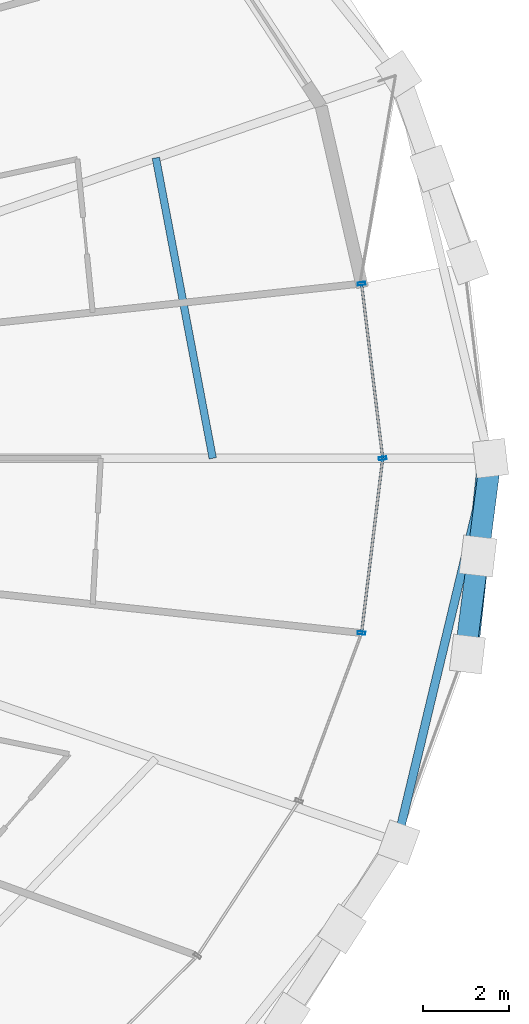
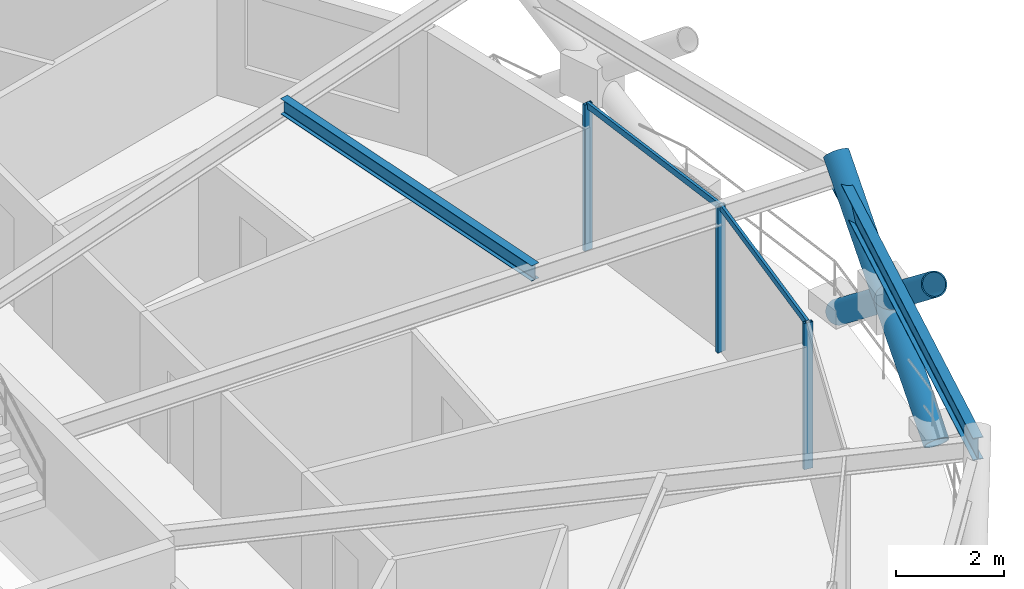
# One storey, part 11 of 19: 8 members, 2 beams, 1 element without a shape of its own.
"""IFC4 building model written with IfcOpenShell, lengths in metres."""

from ifc_helpers import new_model, si_unit, direction, frame, origin, origin_2d, place, context, subcontext, project, spatial, hollow_rectangle, hollow_circle, i_section, extrude, material, layer, layer_set, material_profile, profile_set, type_object, element, aggregate, save


model = new_model("IFC4")

# Units and contexts
model_context = context("Model", 3, precision=1e-05, world=origin(), true_north=direction((0.0, 1.0)))
body_context = subcontext(model_context, "Body", "Model", "MODEL_VIEW")
ifc_project = project(units=[si_unit("LENGTHUNIT", "METRE"), si_unit("AREAUNIT", "SQUARE_METRE"), si_unit("VOLUMEUNIT", "CUBIC_METRE"), si_unit("PLANEANGLEUNIT", "RADIAN"), si_unit("MASSUNIT", "GRAM", prefix="KILO")], contexts=[model_context])

# Site, building, storey
site_placement = place(None, origin())
site = spatial("IfcSite", under=ifc_project, at=site_placement, CompositionType="ELEMENT")
building_placement = place(site_placement, origin())
building = spatial("IfcBuilding", under=site, at=building_placement, Name="Veldorina Hangang Commons", CompositionType="ELEMENT")
storey_placement = place(building_placement, frame((0.0, 0.0, 160.39990234375)))
storey = spatial("IfcBuildingStorey", under=building, at=storey_placement, Name="L41", CompositionType="ELEMENT", Elevation=160.39990234375)

# Beams
ifc_material_1 = material(Name="Steel SM355-TMC", Category="steel")
ifc_material_profile_1 = material_profile(ifc_material_1, i_section(OverallWidth=0.175048828125, OverallDepth=0.35009765625, WebThickness=0.007080078125, FlangeThickness=0.010986328125, FilletRadius=0.012939453125, at=origin_2d()), Name="H-350x175x7x11")
ifc_profile_set_1 = profile_set([ifc_material_profile_1], Name="Steel SM355-TMC")
beam_type_1 = type_object("IfcBeamType", Name="BM-JST350", PredefinedType="JOIST", material=ifc_profile_set_1)
beam_1_placement = place(storey_placement, frame((53.70068359375, 24.0, 3.175048828125), z_axis=(-0.186059382124, 0.982538501191, 0.0), x_axis=(-0.982538501191, -0.186059382124, 0.0)))
element("IfcBeam", 1, at=beam_1_placement, inside=storey, type_object=beam_type_1, Name="L41 secondary floor joist 01", PredefinedType="JOIST", context=body_context, shape_type="SweptSolid", body=[
    extrude(i_section(OverallWidth=0.175048828125, OverallDepth=0.35009765625, WebThickness=0.007080078125, FlangeThickness=0.010986328125, FilletRadius=0.012939453125, at=origin_2d()), origin(), (0.0, 0.0, 1.0), 7.140869140625),
])
ifc_material_2 = material(Name="Steel SM420-TMC", Category="steel")
ifc_material_profile_2 = material_profile(ifc_material_2, i_section(OverallWidth=0.199951171875, OverallDepth=0.5, WebThickness=0.010009765625, FlangeThickness=0.01611328125, FilletRadius=0.01611328125, at=origin_2d()), Name="H-500x200x10x16")
ifc_profile_set_2 = profile_set([ifc_material_profile_2], Name="Steel SM420-TMC")
beam_type_2 = type_object("IfcBeamType", Name="BM-RB500", PredefinedType="BEAM", material=ifc_profile_set_2)
beam_2_placement = place(storey_placement, frame((58.006103515625, 15.043701171875, 3.10009765625), z_axis=(0.232660981985, 0.972557899285, 0.0), x_axis=(-0.972557899285, 0.232660981985, 0.0)))
element("IfcBeam", 2, at=beam_2_placement, inside=storey, type_object=beam_type_2, Name="L41 perimeter hoop ring beam 30", PredefinedType="BEAM", context=body_context, shape_type="SweptSolid", body=[
    extrude(i_section(OverallWidth=0.199951171875, OverallDepth=0.5, WebThickness=0.010009765625, FlangeThickness=0.01611328125, FilletRadius=0.01611328125, at=origin_2d()), origin(), (0.0, 0.0, 1.0), 9.208984375),
])

# Curtain wall, members
ifc_material_3 = material(Name="Glass Low-E Triple IGU", Category="glass")
ifc_layer = layer(ifc_material_3, 0.179931640625)
ifc_layer_set = layer_set([ifc_layer], Name="Glass Low-E Triple IGU")
curtain_wall_type = type_object("IfcCurtainWallType", Name="CW-SYS-Z2", PredefinedType="NOTDEFINED", material=ifc_layer_set)
curtain_wall_placement = place(storey_placement, origin())
curtain_wall = element("IfcCurtainWall", 3, at=curtain_wall_placement, inside=storey, type_object=curtain_wall_type, Name="L41 unitised curtain wall CW-L41-R2", PredefinedType="NOTDEFINED")
ifc_material_4 = material(Name="Aluminium Anodized AA6063-T6", Category="aluminium")
ifc_material_profile_3 = material_profile(ifc_material_4, hollow_rectangle(XDim=0.070068359375, YDim=0.179931640625, WallThickness=0.00390625, at=origin_2d()), Name="ALU-RHS-180x70x4")
ifc_profile_set_3 = profile_set([ifc_material_profile_3], Name="Aluminium Anodized AA6063-T6")
member_type_1 = type_object("IfcMemberType", Name="CW-MUL-180", PredefinedType="MULLION", material=ifc_profile_set_3)
member_1_placement = place(storey_placement, frame((57.175537109375, 19.920166015625, 0.0), z_axis=(0.0, 0.0, 1.0), x_axis=(0.120015549748, 0.992772012004, 0.0)))
member_1 = element("IfcMember", 4, at=member_1_placement, type_object=member_type_1, Name="CW-L41-R2 vertical mullion 4", PredefinedType="MULLION", context=body_context, shape_type="SweptSolid", body=[
    extrude(hollow_rectangle(XDim=0.070068359375, YDim=0.179931640625, WallThickness=0.00390625, at=origin_2d()), origin(), (0.0, 0.0, 1.0), 3.31005859375),
])
member_2_placement = place(storey_placement, frame((57.668701171875, 24.0, 0.0), z_axis=(0.0, 0.0, 1.0), x_axis=(-0.120015549748, 0.992772012004, 0.0)))
member_2 = element("IfcMember", 5, at=member_2_placement, type_object=member_type_1, Name="CW-L41-R2 vertical mullion 5", PredefinedType="MULLION", context=body_context, shape_type="SweptSolid", body=[
    extrude(hollow_rectangle(XDim=0.070068359375, YDim=0.179931640625, WallThickness=0.00390625, at=origin_2d()), origin(), (0.0, 0.0, 1.0), 3.31005859375),
])
member_3_placement = place(storey_placement, frame((57.175537109375, 28.079833984375, 0.0), z_axis=(0.0, 0.0, 1.0), x_axis=(0.120015549748, -0.992772012004, 0.0)))
member_3 = element("IfcMember", 6, at=member_3_placement, type_object=member_type_1, Name="CW-L41-R2 vertical mullion 6", PredefinedType="MULLION", context=body_context, shape_type="SweptSolid", body=[
    extrude(hollow_rectangle(XDim=0.070068359375, YDim=0.179931640625, WallThickness=0.00390625, at=origin_2d()), origin(), (0.0, 0.0, 1.0), 3.31005859375),
])
ifc_material_profile_4 = material_profile(ifc_material_4, hollow_rectangle(XDim=0.06005859375, YDim=0.139892578125, WallThickness=0.00341796875, at=origin_2d()), Name="ALU-RHS-140x60x3.5")
ifc_profile_set_4 = profile_set([ifc_material_profile_4], Name="Aluminium Anodized AA6063-T6")
member_type_2 = type_object("IfcMemberType", Name="CW-TRN-140", PredefinedType="USERDEFINED", material=ifc_profile_set_4)
member_4_placement = place(storey_placement, frame((57.175537109375, 19.920166015625, 3.27001953125), z_axis=(0.120004910667, 0.992773298098, 0.0), x_axis=(-0.992773298098, 0.120004910667, 0.0)))
member_4 = element("IfcMember", 7, at=member_4_placement, type_object=member_type_2, Name="CW-L41-R2 facet 4 transom 1", ObjectType="TRANSOM", PredefinedType="USERDEFINED", context=body_context, shape_type="SweptSolid", body=[
    extrude(hollow_rectangle(XDim=0.06005859375, YDim=0.139892578125, WallThickness=0.00341796875, at=origin_2d()), origin(), (0.0, 0.0, 1.0), 4.109619140625),
])
member_5_placement = place(storey_placement, frame((57.668701171875, 24.0, 3.27001953125), z_axis=(-0.120004910667, 0.992773298098, 0.0), x_axis=(-0.992773298098, -0.120004910667, 0.0)))
member_5 = element("IfcMember", 8, at=member_5_placement, type_object=member_type_2, Name="CW-L41-R2 facet 5 transom 1", ObjectType="TRANSOM", PredefinedType="USERDEFINED", context=body_context, shape_type="SweptSolid", body=[
    extrude(hollow_rectangle(XDim=0.06005859375, YDim=0.139892578125, WallThickness=0.00341796875, at=origin_2d()), origin(), (0.0, 0.0, 1.0), 4.109619140625),
])
aggregate(curtain_wall, [member_1, member_2, member_3, member_4, member_5])

# Members
ifc_material_profile_5 = material_profile(ifc_material_2, hollow_circle(Radius=0.25, WallThickness=0.02490234375, at=origin_2d()), Name="CHS-500x25")
ifc_profile_set_5 = profile_set([ifc_material_profile_5], Name="Steel SM420-TMC")
member_type_3 = type_object("IfcMemberType", Name="DG-CHS500", PredefinedType="BRACE", material=ifc_profile_set_5)
member_6_placement = place(storey_placement, frame((59.647216796875, 19.4287109375, 0.0), z_axis=(0.084742652496, 0.782793007069, 0.61648502896), x_axis=(-0.994191241863, 0.107627945271, 0.0)))
element("IfcMember", 9, at=member_6_placement, inside=storey, type_object=member_type_3, Name="L41 continuous perimeter diagrid brace 31", PredefinedType="BRACE", context=body_context, shape_type="SweptSolid", body=[
    extrude(hollow_circle(Radius=0.25, WallThickness=0.02490234375, at=origin_2d()), origin(), (0.0, 0.0, 1.0), 5.839599609375),
])
member_7_placement = place(storey_placement, frame((60.188720703125, 24.0, 0.0), z_axis=(-0.100448447081, -0.781210033992, 0.616133907741), x_axis=(0.991834625986, -0.127530681387, 0.0)))
element("IfcMember", 10, at=member_7_placement, inside=storey, type_object=member_type_3, Name="L41 split perimeter diagrid lower brace 00", PredefinedType="BRACE", context=body_context, shape_type="SweptSolid", body=[
    extrude(hollow_circle(Radius=0.25, WallThickness=0.02490234375, at=origin_2d()), origin(), (0.0, 0.0, 1.0), 2.923828125),
])
member_8_placement = place(storey_placement, frame((59.89501953125, 21.7158203125, 1.801513671875), z_axis=(-0.100519643711, -0.781243354034, 0.61608004594), x_axis=(0.99182387742, -0.127614247555, 0.0)))
element("IfcMember", 11, at=member_8_placement, inside=storey, type_object=member_type_3, Name="L41 split perimeter diagrid upper brace 00", PredefinedType="BRACE", context=body_context, shape_type="SweptSolid", body=[
    extrude(hollow_circle(Radius=0.25, WallThickness=0.02490234375, at=origin_2d()), origin(), (0.0, 0.0, 1.0), 2.91943359375),
])

save(model, "model.ifc")
